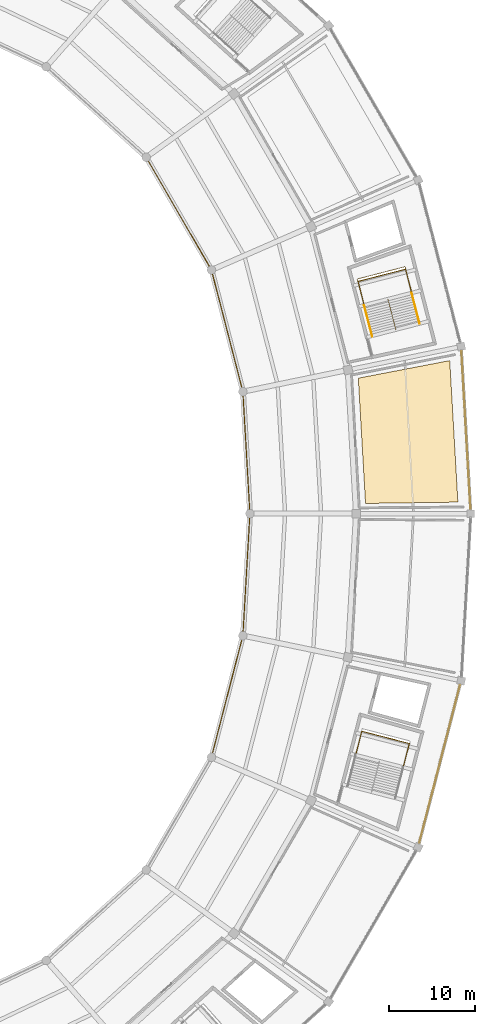
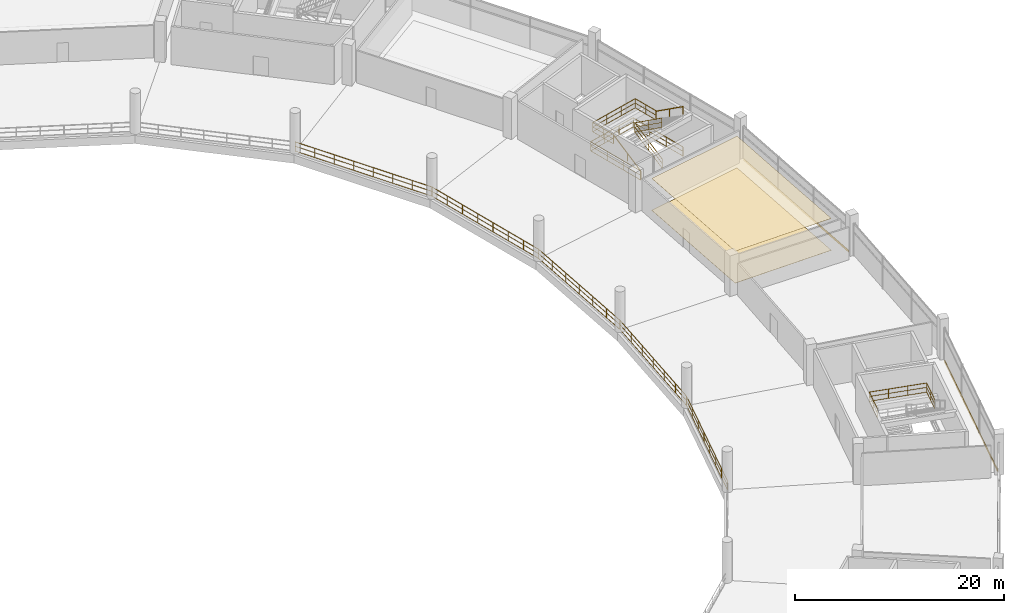
# One storey, part 168 of 171: 11 railings, 4 coverings.
"""IFC4 building model written with IfcOpenShell, lengths in metres."""

from ifc_helpers import new_model, si_unit, direction, frame, origin, origin_2d, place, context, subcontext, project, spatial, polyline, rectangle, outline, extrude, material, layer, layer_set, type_object, element, save


model = new_model("IFC4")

# Units and contexts
model_context = context("Model", 3, precision=1e-05, world=origin(), true_north=direction((0.0, 1.0)))
body_context = subcontext(model_context, "Body", "Model", "MODEL_VIEW")
ifc_project = project(units=[si_unit("LENGTHUNIT", "METRE"), si_unit("AREAUNIT", "SQUARE_METRE"), si_unit("VOLUMEUNIT", "CUBIC_METRE"), si_unit("PLANEANGLEUNIT", "RADIAN"), si_unit("MASSUNIT", "GRAM", prefix="KILO")], contexts=[model_context])

# Site, building, storey
site_placement = place(None, origin())
site = spatial("IfcSite", under=ifc_project, at=site_placement, CompositionType="ELEMENT")
building_placement = place(site_placement, origin())
building = spatial("IfcBuilding", under=site, at=building_placement, Name="Kazemori Nagisa Stadium", CompositionType="ELEMENT")
storey_placement = place(building_placement, frame((0.0, 0.0, 15.639892578125)))
storey = spatial("IfcBuildingStorey", under=building, at=storey_placement, Name="L03", CompositionType="ELEMENT", Elevation=15.639892578125)

# Coverings
ifc_material_1 = material(Name="Mineral-fibre acoustic board", Category="gypsum")
ifc_layer_1 = layer(ifc_material_1, 0.02001953125, Name="Mineral-fibre acoustic board", Category="gypsum")
ifc_layer_set_1 = layer_set([ifc_layer_1], Name="Mineral-fibre acoustic board")
covering_type_1 = type_object("IfcCoveringType", Name="Cov_CEIL", PredefinedType="CEILING", material=ifc_layer_set_1)
covering_1_placement = place(storey_placement, frame((0.0, 0.0, 3.730224609375)))
element("IfcCovering", 1, at=covering_1_placement, inside=storey, type_object=covering_type_1, Name="Acoustic ceiling L03-B01", PredefinedType="CEILING", context=body_context, shape_type="SweptSolid", body=[
    extrude(outline(polyline([(205.771728515625, 103.18408203125), (204.932373046875, 117.730712890625), (215.5498046875, 119.769287109375), (216.497802734375, 103.33740234375), (205.771728515625, 103.18408203125)])), origin(), (0.0, 0.0, 1.0), 0.019775390625),
])
ifc_material_2 = material(Name="Porcelain stoneware tile", Category="masonry")
ifc_layer_2 = layer(ifc_material_2, 0.02490234375, Name="Porcelain stoneware tile", Category="masonry")
ifc_layer_set_2 = layer_set([ifc_layer_2], Name="Porcelain stoneware tile")
covering_type_2 = type_object("IfcCoveringType", Name="Cov_FLOOR", PredefinedType="FLOORING", material=ifc_layer_set_2)
covering_2_placement = place(storey_placement, origin())
element("IfcCovering", 2, at=covering_2_placement, inside=storey, type_object=covering_type_2, Name="Porcelain floor finish L03-B01", PredefinedType="FLOORING", context=body_context, shape_type="SweptSolid", body=[
    extrude(outline(polyline([(205.771728515625, 103.18408203125), (204.932373046875, 117.730712890625), (215.5498046875, 119.769287109375), (216.497802734375, 103.33740234375), (205.771728515625, 103.18408203125)])), origin(), (0.0, 0.0, 1.0), 0.025146484375),
])
ifc_material_3 = material(Name="Anodised aluminium 6063-T5", Category="aluminium")
ifc_layer_3 = layer(ifc_material_3, 0.034912109375, Name="Anodised aluminium 6063-T5", Category="aluminium")
ifc_layer_set_3 = layer_set([ifc_layer_3], Name="Anodised aluminium 6063-T5")
covering_type_3 = type_object("IfcCoveringType", Name="Covering_CLAD", PredefinedType="CLADDING", material=ifc_layer_set_3)
covering_3_placement = place(storey_placement, frame((217.4404296875, 111.69873046875, -0.259765625), z_axis=(0.0, 0.0, 1.0), x_axis=(-0.057601670941, 0.998339645364, 0.0)))
element("IfcCovering", 3, at=covering_3_placement, inside=storey, type_object=covering_type_3, Name="Anodised fascia cladding L03-B01", PredefinedType="CLADDING", context=body_context, shape_type="SweptSolid", body=[
    extrude(rectangle(XDim=18.329833984375, YDim=0.0400390625, at=origin_2d()), origin(), (0.0, 0.0, 1.0), 0.260009765625),
])
covering_4_placement = place(storey_placement, frame((214.3828125, 72.92626953125, -0.259765625), z_axis=(0.0, 0.0, 1.0), x_axis=(0.249964642418, 0.968254965152, 0.0)))
element("IfcCovering", 4, at=covering_4_placement, inside=storey, type_object=covering_type_3, Name="Anodised fascia cladding L03-B27", PredefinedType="CLADDING", context=body_context, shape_type="SweptSolid", body=[
    extrude(rectangle(XDim=18.88623046875, YDim=0.0400390625, at=origin_2d()), origin(), (0.0, 0.0, 1.0), 0.260009765625),
])

# Railings
ifc_material_4 = material(Name="Laminated safety glass and stainless steel SUS304", Category="steel")
railing_type_1 = type_object("IfcRailingType", Name="Rail_BAL", PredefinedType="BALUSTRADE", material=ifc_material_4)
railing_1_placement = place(storey_placement, frame((192.35009765625, 102.0, 0.0)))
element("IfcRailing", 5, at=railing_1_placement, inside=storey, type_object=railing_type_1, Name="Concourse bowl balustrade L03-B01", PredefinedType="BALUSTRADE", context=body_context, shape_type="SweptSolid", body=[
    extrude(rectangle(XDim=0.050048828125, YDim=0.050048828125, at=origin_2d()), frame((0.0, 0.0, 1.09521484375), z_axis=(-0.057610061423, 0.998339161219, 0.0), x_axis=(-0.998339161219, -0.057610061423, 0.0)), (0.0, 0.0, 1.0), 14.183837890625),
    extrude(rectangle(XDim=0.03759765625, YDim=0.03759765625, at=origin_2d()), frame((0.0, 0.0, 0.58251953125), z_axis=(-0.057610061423, 0.998339161219, 0.0), x_axis=(-0.998339161219, -0.057610061423, 0.0)), (0.0, 0.0, 1.0), 14.183837890625),
    extrude(rectangle(XDim=0.03759765625, YDim=0.03759765625, at=origin_2d()), frame((0.0, 0.0, 0.02490234375), z_axis=(-0.057610061423, 0.998339161219, 0.0), x_axis=(-0.998339161219, -0.057610061423, 0.0)), (0.0, 0.0, 1.0), 14.183837890625),
    extrude(rectangle(XDim=0.044921875, YDim=0.044921875, at=origin_2d()), origin(), (0.0, 0.0, 1.0), 1.070068359375),
    extrude(rectangle(XDim=0.044921875, YDim=0.044921875, at=origin_2d()), frame((-0.13623046875, 2.360107421875, 0.0)), (0.0, 0.0, 1.0), 1.070068359375),
    extrude(rectangle(XDim=0.044921875, YDim=0.044921875, at=origin_2d()), frame((-0.2724609375, 4.72021484375, 0.0)), (0.0, 0.0, 1.0), 1.070068359375),
    extrude(rectangle(XDim=0.044921875, YDim=0.044921875, at=origin_2d()), frame((-0.40869140625, 7.080078125, 0.0)), (0.0, 0.0, 1.0), 1.070068359375),
    extrude(rectangle(XDim=0.044921875, YDim=0.044921875, at=origin_2d()), frame((-0.544677734375, 9.440185546875, 0.0)), (0.0, 0.0, 1.0), 1.070068359375),
    extrude(rectangle(XDim=0.044921875, YDim=0.044921875, at=origin_2d()), frame((-0.680908203125, 11.80029296875, 0.0)), (0.0, 0.0, 1.0), 1.070068359375),
    extrude(rectangle(XDim=0.044921875, YDim=0.044921875, at=origin_2d()), frame((-0.817138671875, 14.160400390625, 0.0)), (0.0, 0.0, 1.0), 1.070068359375),
])
railing_2_placement = place(storey_placement, frame((191.532958984375, 116.160400390625, 0.0)))
element("IfcRailing", 6, at=railing_2_placement, inside=storey, type_object=railing_type_1, Name="Concourse bowl balustrade L03-B02", PredefinedType="BALUSTRADE", context=body_context, shape_type="SweptSolid", body=[
    extrude(rectangle(XDim=0.050048828125, YDim=0.050048828125, at=origin_2d()), frame((0.0, 0.0, 1.09521484375), z_axis=(-0.249966077383, 0.9682545947, 0.0), x_axis=(-0.9682545947, -0.249966077383, 0.0)), (0.0, 0.0, 1.0), 14.58984375),
    extrude(rectangle(XDim=0.03759765625, YDim=0.03759765625, at=origin_2d()), frame((0.0, 0.0, 0.58251953125), z_axis=(-0.249966077383, 0.9682545947, 0.0), x_axis=(-0.9682545947, -0.249966077383, 0.0)), (0.0, 0.0, 1.0), 14.58984375),
    extrude(rectangle(XDim=0.03759765625, YDim=0.03759765625, at=origin_2d()), frame((0.0, 0.0, 0.02490234375), z_axis=(-0.249966077383, 0.9682545947, 0.0), x_axis=(-0.9682545947, -0.249966077383, 0.0)), (0.0, 0.0, 1.0), 14.58984375),
    extrude(rectangle(XDim=0.044921875, YDim=0.044921875, at=origin_2d()), origin(), (0.0, 0.0, 1.0), 1.070068359375),
    extrude(rectangle(XDim=0.044921875, YDim=0.044921875, at=origin_2d()), frame((-0.52099609375, 2.01806640625, 0.0)), (0.0, 0.0, 1.0), 1.070068359375),
    extrude(rectangle(XDim=0.044921875, YDim=0.044921875, at=origin_2d()), frame((-1.0419921875, 4.0361328125, 0.0)), (0.0, 0.0, 1.0), 1.070068359375),
    extrude(rectangle(XDim=0.044921875, YDim=0.044921875, at=origin_2d()), frame((-1.56298828125, 6.05419921875, 0.0)), (0.0, 0.0, 1.0), 1.070068359375),
    extrude(rectangle(XDim=0.044921875, YDim=0.044921875, at=origin_2d()), frame((-2.083984375, 8.072509765625, 0.0)), (0.0, 0.0, 1.0), 1.070068359375),
    extrude(rectangle(XDim=0.044921875, YDim=0.044921875, at=origin_2d()), frame((-2.60498046875, 10.090576171875, 0.0)), (0.0, 0.0, 1.0), 1.070068359375),
    extrude(rectangle(XDim=0.044921875, YDim=0.044921875, at=origin_2d()), frame((-3.1259765625, 12.108642578125, 0.0)), (0.0, 0.0, 1.0), 1.070068359375),
    extrude(rectangle(XDim=0.044921875, YDim=0.044921875, at=origin_2d()), frame((-3.64697265625, 14.126708984375, 0.0)), (0.0, 0.0, 1.0), 1.070068359375),
])
railing_3_placement = place(storey_placement, frame((187.885986328125, 130.287109375, 0.0)))
element("IfcRailing", 7, at=railing_3_placement, inside=storey, type_object=railing_type_1, Name="Concourse bowl balustrade L03-B03", PredefinedType="BALUSTRADE", context=body_context, shape_type="SweptSolid", body=[
    extrude(rectangle(XDim=0.050048828125, YDim=0.050048828125, at=origin_2d()), frame((0.0, 0.0, 1.09521484375), z_axis=(-0.501613453924, 0.865091869597, 0.0), x_axis=(-0.865091869597, -0.501613453924, 0.0)), (0.0, 0.0, 1.0), 15.1201171875),
    extrude(rectangle(XDim=0.03759765625, YDim=0.03759765625, at=origin_2d()), frame((0.0, 0.0, 0.58251953125), z_axis=(-0.501613453924, 0.865091869597, 0.0), x_axis=(-0.865091869597, -0.501613453924, 0.0)), (0.0, 0.0, 1.0), 15.1201171875),
    extrude(rectangle(XDim=0.03759765625, YDim=0.03759765625, at=origin_2d()), frame((0.0, 0.0, 0.02490234375), z_axis=(-0.501613453924, 0.865091869597, 0.0), x_axis=(-0.865091869597, -0.501613453924, 0.0)), (0.0, 0.0, 1.0), 15.1201171875),
    extrude(rectangle(XDim=0.044921875, YDim=0.044921875, at=origin_2d()), origin(), (0.0, 0.0, 1.0), 1.070068359375),
    extrude(rectangle(XDim=0.044921875, YDim=0.044921875, at=origin_2d()), frame((-1.08349609375, 1.86865234375, 0.0)), (0.0, 0.0, 1.0), 1.070068359375),
    extrude(rectangle(XDim=0.044921875, YDim=0.044921875, at=origin_2d()), frame((-2.1669921875, 3.7373046875, 0.0)), (0.0, 0.0, 1.0), 1.070068359375),
    extrude(rectangle(XDim=0.044921875, YDim=0.044921875, at=origin_2d()), frame((-3.25048828125, 5.60595703125, 0.0)), (0.0, 0.0, 1.0), 1.070068359375),
    extrude(rectangle(XDim=0.044921875, YDim=0.044921875, at=origin_2d()), frame((-4.333984375, 7.474365234375, 0.0)), (0.0, 0.0, 1.0), 1.070068359375),
    extrude(rectangle(XDim=0.044921875, YDim=0.044921875, at=origin_2d()), frame((-5.41748046875, 9.343017578125, 0.0)), (0.0, 0.0, 1.0), 1.070068359375),
    extrude(rectangle(XDim=0.044921875, YDim=0.044921875, at=origin_2d()), frame((-6.5009765625, 11.211669921875, 0.0)), (0.0, 0.0, 1.0), 1.070068359375),
    extrude(rectangle(XDim=0.044921875, YDim=0.044921875, at=origin_2d()), frame((-7.58447265625, 13.080322265625, 0.0)), (0.0, 0.0, 1.0), 1.070068359375),
])
railing_4_placement = place(storey_placement, frame((187.885986328125, 73.712890625, 0.0)))
element("IfcRailing", 8, at=railing_4_placement, inside=storey, type_object=railing_type_1, Name="Concourse bowl balustrade L03-B27", PredefinedType="BALUSTRADE", context=body_context, shape_type="SweptSolid", body=[
    extrude(rectangle(XDim=0.050048828125, YDim=0.050048828125, at=origin_2d()), frame((0.0, 0.0, 1.09521484375), z_axis=(0.249966077383, 0.9682545947, 0.0), x_axis=(-0.9682545947, 0.249966077383, 0.0)), (0.0, 0.0, 1.0), 14.58984375),
    extrude(rectangle(XDim=0.03759765625, YDim=0.03759765625, at=origin_2d()), frame((0.0, 0.0, 0.58251953125), z_axis=(0.249966077383, 0.9682545947, 0.0), x_axis=(-0.9682545947, 0.249966077383, 0.0)), (0.0, 0.0, 1.0), 14.58984375),
    extrude(rectangle(XDim=0.03759765625, YDim=0.03759765625, at=origin_2d()), frame((0.0, 0.0, 0.02490234375), z_axis=(0.249966077383, 0.9682545947, 0.0), x_axis=(-0.9682545947, 0.249966077383, 0.0)), (0.0, 0.0, 1.0), 14.58984375),
    extrude(rectangle(XDim=0.044921875, YDim=0.044921875, at=origin_2d()), origin(), (0.0, 0.0, 1.0), 1.070068359375),
    extrude(rectangle(XDim=0.044921875, YDim=0.044921875, at=origin_2d()), frame((0.52099609375, 2.01806640625, 0.0)), (0.0, 0.0, 1.0), 1.070068359375),
    extrude(rectangle(XDim=0.044921875, YDim=0.044921875, at=origin_2d()), frame((1.0419921875, 4.0361328125, 0.0)), (0.0, 0.0, 1.0), 1.070068359375),
    extrude(rectangle(XDim=0.044921875, YDim=0.044921875, at=origin_2d()), frame((1.56298828125, 6.05419921875, 0.0)), (0.0, 0.0, 1.0), 1.070068359375),
    extrude(rectangle(XDim=0.044921875, YDim=0.044921875, at=origin_2d()), frame((2.083984375, 8.072509765625, 0.0)), (0.0, 0.0, 1.0), 1.070068359375),
    extrude(rectangle(XDim=0.044921875, YDim=0.044921875, at=origin_2d()), frame((2.60498046875, 10.090576171875, 0.0)), (0.0, 0.0, 1.0), 1.070068359375),
    extrude(rectangle(XDim=0.044921875, YDim=0.044921875, at=origin_2d()), frame((3.1259765625, 12.108642578125, 0.0)), (0.0, 0.0, 1.0), 1.070068359375),
    extrude(rectangle(XDim=0.044921875, YDim=0.044921875, at=origin_2d()), frame((3.64697265625, 14.126708984375, 0.0)), (0.0, 0.0, 1.0), 1.070068359375),
])
railing_5_placement = place(storey_placement, frame((191.532958984375, 87.839599609375, 0.0)))
element("IfcRailing", 9, at=railing_5_placement, inside=storey, type_object=railing_type_1, Name="Concourse bowl balustrade L03-B28", PredefinedType="BALUSTRADE", context=body_context, shape_type="SweptSolid", body=[
    extrude(rectangle(XDim=0.050048828125, YDim=0.050048828125, at=origin_2d()), frame((0.0, 0.0, 1.09521484375), z_axis=(0.057610061423, 0.998339161219, 0.0), x_axis=(-0.998339161219, 0.057610061423, 0.0)), (0.0, 0.0, 1.0), 14.183837890625),
    extrude(rectangle(XDim=0.03759765625, YDim=0.03759765625, at=origin_2d()), frame((0.0, 0.0, 0.58251953125), z_axis=(0.057610061423, 0.998339161219, 0.0), x_axis=(-0.998339161219, 0.057610061423, 0.0)), (0.0, 0.0, 1.0), 14.183837890625),
    extrude(rectangle(XDim=0.03759765625, YDim=0.03759765625, at=origin_2d()), frame((0.0, 0.0, 0.02490234375), z_axis=(0.057610061423, 0.998339161219, 0.0), x_axis=(-0.998339161219, 0.057610061423, 0.0)), (0.0, 0.0, 1.0), 14.183837890625),
    extrude(rectangle(XDim=0.044921875, YDim=0.044921875, at=origin_2d()), origin(), (0.0, 0.0, 1.0), 1.070068359375),
    extrude(rectangle(XDim=0.044921875, YDim=0.044921875, at=origin_2d()), frame((0.13623046875, 2.360107421875, 0.0)), (0.0, 0.0, 1.0), 1.070068359375),
    extrude(rectangle(XDim=0.044921875, YDim=0.044921875, at=origin_2d()), frame((0.2724609375, 4.72021484375, 0.0)), (0.0, 0.0, 1.0), 1.070068359375),
    extrude(rectangle(XDim=0.044921875, YDim=0.044921875, at=origin_2d()), frame((0.40869140625, 7.080078125, 0.0)), (0.0, 0.0, 1.0), 1.070068359375),
    extrude(rectangle(XDim=0.044921875, YDim=0.044921875, at=origin_2d()), frame((0.544677734375, 9.440185546875, 0.0)), (0.0, 0.0, 1.0), 1.070068359375),
    extrude(rectangle(XDim=0.044921875, YDim=0.044921875, at=origin_2d()), frame((0.680908203125, 11.80029296875, 0.0)), (0.0, 0.0, 1.0), 1.070068359375),
    extrude(rectangle(XDim=0.044921875, YDim=0.044921875, at=origin_2d()), frame((0.817138671875, 14.160400390625, 0.0)), (0.0, 0.0, 1.0), 1.070068359375),
])
ifc_material_5 = material(Name="Galvanised powder-coated steel", Category="steel")
railing_type_2 = type_object("IfcRailingType", Name="Rail_GUARD", PredefinedType="GUARDRAIL", material=ifc_material_5)
railing_6_placement = place(storey_placement, frame((206.533447265625, 122.641357421875, 0.0)))
element("IfcRailing", 10, at=railing_6_placement, inside=storey, type_object=railing_type_2, Name="Stair well perimeter guard ST07-L03", PredefinedType="GUARDRAIL", context=body_context, shape_type="SweptSolid", body=[
    extrude(rectangle(XDim=0.050048828125, YDim=0.050048828125, at=origin_2d()), frame((0.0, 0.0, 1.09521484375), z_axis=(-0.249951748519, 0.968258293748, 0.0), x_axis=(-0.968258293748, -0.249951748519, 0.0)), (0.0, 0.0, 1.0), 6.809814453125),
    extrude(rectangle(XDim=0.03759765625, YDim=0.03759765625, at=origin_2d()), frame((0.0, 0.0, 0.58251953125), z_axis=(-0.249951748519, 0.968258293748, 0.0), x_axis=(-0.968258293748, -0.249951748519, 0.0)), (0.0, 0.0, 1.0), 6.809814453125),
    extrude(rectangle(XDim=0.03759765625, YDim=0.03759765625, at=origin_2d()), frame((0.0, 0.0, 0.02490234375), z_axis=(-0.249951748519, 0.968258293748, 0.0), x_axis=(-0.968258293748, -0.249951748519, 0.0)), (0.0, 0.0, 1.0), 6.809814453125),
    extrude(rectangle(XDim=0.050048828125, YDim=0.050048828125, at=origin_2d()), frame((-1.7021484375, 6.59375, 1.09521484375), z_axis=(0.968254587534, 0.249966105142, 0.0), x_axis=(-0.249966105142, 0.968254587534, 0.0)), (0.0, 0.0, 1.0), 5.699951171875),
    extrude(rectangle(XDim=0.03759765625, YDim=0.03759765625, at=origin_2d()), frame((-1.7021484375, 6.59375, 0.58251953125), z_axis=(0.968254587534, 0.249966105142, 0.0), x_axis=(-0.249966105142, 0.968254587534, 0.0)), (0.0, 0.0, 1.0), 5.699951171875),
    extrude(rectangle(XDim=0.03759765625, YDim=0.03759765625, at=origin_2d()), frame((-1.7021484375, 6.59375, 0.02490234375), z_axis=(0.968254587534, 0.249966105142, 0.0), x_axis=(-0.249966105142, 0.968254587534, 0.0)), (0.0, 0.0, 1.0), 5.699951171875),
    extrude(rectangle(XDim=0.050048828125, YDim=0.050048828125, at=origin_2d()), frame((3.81689453125, 8.0185546875, 1.09521484375), z_axis=(0.249951748519, -0.968258293748, 0.0), x_axis=(0.968258293748, 0.249951748519, 0.0)), (0.0, 0.0, 1.0), 6.809814453125),
    extrude(rectangle(XDim=0.03759765625, YDim=0.03759765625, at=origin_2d()), frame((3.81689453125, 8.0185546875, 0.58251953125), z_axis=(0.249951748519, -0.968258293748, 0.0), x_axis=(0.968258293748, 0.249951748519, 0.0)), (0.0, 0.0, 1.0), 6.809814453125),
    extrude(rectangle(XDim=0.03759765625, YDim=0.03759765625, at=origin_2d()), frame((3.81689453125, 8.0185546875, 0.02490234375), z_axis=(0.249951748519, -0.968258293748, 0.0), x_axis=(0.968258293748, 0.249951748519, 0.0)), (0.0, 0.0, 1.0), 6.809814453125),
    extrude(rectangle(XDim=0.044921875, YDim=0.044921875, at=origin_2d()), origin(), (0.0, 0.0, 1.0), 1.070068359375),
    extrude(rectangle(XDim=0.044921875, YDim=0.044921875, at=origin_2d()), frame((-0.5673828125, 2.197998046875, 0.0)), (0.0, 0.0, 1.0), 1.070068359375),
    extrude(rectangle(XDim=0.044921875, YDim=0.044921875, at=origin_2d()), frame((-1.134765625, 4.395751953125, 0.0)), (0.0, 0.0, 1.0), 1.070068359375),
    extrude(rectangle(XDim=0.044921875, YDim=0.044921875, at=origin_2d()), frame((-1.7021484375, 6.59375, 0.0)), (0.0, 0.0, 1.0), 1.070068359375),
    extrude(rectangle(XDim=0.044921875, YDim=0.044921875, at=origin_2d()), frame((0.137451171875, 7.068603515625, 0.0)), (0.0, 0.0, 1.0), 1.070068359375),
    extrude(rectangle(XDim=0.044921875, YDim=0.044921875, at=origin_2d()), frame((1.977294921875, 7.543701171875, 0.0)), (0.0, 0.0, 1.0), 1.070068359375),
    extrude(rectangle(XDim=0.044921875, YDim=0.044921875, at=origin_2d()), frame((3.81689453125, 8.0185546875, 0.0)), (0.0, 0.0, 1.0), 1.070068359375),
    extrude(rectangle(XDim=0.044921875, YDim=0.044921875, at=origin_2d()), frame((4.38427734375, 5.820556640625, 0.0)), (0.0, 0.0, 1.0), 1.070068359375),
    extrude(rectangle(XDim=0.044921875, YDim=0.044921875, at=origin_2d()), frame((4.95166015625, 3.622802734375, 0.0)), (0.0, 0.0, 1.0), 1.070068359375),
    extrude(rectangle(XDim=0.044921875, YDim=0.044921875, at=origin_2d()), frame((5.51904296875, 1.4248046875, 0.0)), (0.0, 0.0, 1.0), 1.070068359375),
])
railing_7_placement = place(storey_placement, frame((209.31298828125, 123.2763671875, 0.0)))
element("IfcRailing", 11, at=railing_7_placement, inside=storey, type_object=railing_type_2, Name="Stair central guard ST07-L03", PredefinedType="GUARDRAIL", context=body_context, shape_type="SweptSolid", body=[
    extrude(rectangle(XDim=0.050048828125, YDim=0.050048828125, at=origin_2d()), frame((0.0, 0.0, 1.09521484375), z_axis=(-0.21109697556, 0.817808574412, 0.535375758256), x_axis=(-0.968263113111, -0.249933078619, 0.0)), (0.0, 0.0, 1.0), 4.44580078125),
    extrude(rectangle(XDim=0.03759765625, YDim=0.03759765625, at=origin_2d()), frame((0.0, 0.0, 0.58251953125), z_axis=(-0.21109697556, 0.817808574412, 0.535375758256), x_axis=(-0.968263113111, -0.249933078619, 0.0)), (0.0, 0.0, 1.0), 4.44580078125),
    extrude(rectangle(XDim=0.03759765625, YDim=0.03759765625, at=origin_2d()), frame((0.0, 0.0, 0.02490234375), z_axis=(-0.21109697556, 0.817808574412, 0.535375758256), x_axis=(-0.968263113111, -0.249933078619, 0.0)), (0.0, 0.0, 1.0), 4.44580078125),
    extrude(rectangle(XDim=0.050048828125, YDim=0.050048828125, at=origin_2d()), frame((-0.9384765625, 3.6357421875, 3.47509765625), z_axis=(0.209776192239, -0.812729399756, 0.543566805408), x_axis=(0.96826591561, 0.249922221237, 0.0)), (0.0, 0.0, 1.0), 4.378173828125),
    extrude(rectangle(XDim=0.03759765625, YDim=0.03759765625, at=origin_2d()), frame((-0.9384765625, 3.6357421875, 2.962646484375), z_axis=(0.209776192239, -0.812729399756, 0.543566805408), x_axis=(0.96826591561, 0.249922221237, 0.0)), (0.0, 0.0, 1.0), 4.378173828125),
    extrude(rectangle(XDim=0.03759765625, YDim=0.03759765625, at=origin_2d()), frame((-0.9384765625, 3.6357421875, 2.4052734375), z_axis=(0.209776192239, -0.812729399756, 0.543566805408), x_axis=(0.96826591561, 0.249922221237, 0.0)), (0.0, 0.0, 1.0), 4.378173828125),
    extrude(rectangle(XDim=0.044921875, YDim=0.044921875, at=origin_2d()), origin(), (0.0, 0.0, 1.0), 1.070068359375),
    extrude(rectangle(XDim=0.044921875, YDim=0.044921875, at=origin_2d()), frame((-0.46923828125, 1.81787109375, 1.18994140625)), (0.0, 0.0, 1.0), 1.070068359375),
    extrude(rectangle(XDim=0.044921875, YDim=0.044921875, at=origin_2d()), frame((-0.9384765625, 3.6357421875, 2.380126953125)), (0.0, 0.0, 1.0), 1.070068359375),
    extrude(rectangle(XDim=0.044921875, YDim=0.044921875, at=origin_2d()), frame((-0.479248046875, 1.8564453125, 3.570068359375)), (0.0, 0.0, 1.0), 1.070068359375),
    extrude(rectangle(XDim=0.044921875, YDim=0.044921875, at=origin_2d()), frame((-0.02001953125, 0.077392578125, 4.760009765625)), (0.0, 0.0, 1.0), 1.070068359375),
])
railing_8_placement = place(storey_placement, frame((205.614990234375, 126.19970703125, 2.380126953125)))
element("IfcRailing", 12, at=railing_8_placement, inside=storey, type_object=railing_type_2, Name="Stair landing guard ST07-L03", PredefinedType="GUARDRAIL", context=body_context, shape_type="SweptSolid", body=[
    extrude(rectangle(XDim=0.050048828125, YDim=0.050048828125, at=origin_2d()), frame((0.0, 0.0, 1.09521484375), z_axis=(-0.249966105142, 0.968254587534, 0.0), x_axis=(-0.968254587534, -0.249966105142, 0.0)), (0.0, 0.0, 1.0), 2.85009765625),
    extrude(rectangle(XDim=0.03759765625, YDim=0.03759765625, at=origin_2d()), frame((0.0, 0.0, 0.58251953125), z_axis=(-0.249966105142, 0.968254587534, 0.0), x_axis=(-0.968254587534, -0.249966105142, 0.0)), (0.0, 0.0, 1.0), 2.85009765625),
    extrude(rectangle(XDim=0.03759765625, YDim=0.03759765625, at=origin_2d()), frame((0.0, 0.0, 0.02490234375), z_axis=(-0.249966105142, 0.968254587534, 0.0), x_axis=(-0.968254587534, -0.249966105142, 0.0)), (0.0, 0.0, 1.0), 2.85009765625),
    extrude(rectangle(XDim=0.050048828125, YDim=0.050048828125, at=origin_2d()), frame((-0.71240234375, 2.759521484375, 1.09521484375), z_axis=(0.968254587534, 0.249966105142, 0.0), x_axis=(-0.249966105142, 0.968254587534, 0.0)), (0.0, 0.0, 1.0), 5.699951171875),
    extrude(rectangle(XDim=0.03759765625, YDim=0.03759765625, at=origin_2d()), frame((-0.71240234375, 2.759521484375, 0.58251953125), z_axis=(0.968254587534, 0.249966105142, 0.0), x_axis=(-0.249966105142, 0.968254587534, 0.0)), (0.0, 0.0, 1.0), 5.699951171875),
    extrude(rectangle(XDim=0.03759765625, YDim=0.03759765625, at=origin_2d()), frame((-0.71240234375, 2.759521484375, 0.02490234375), z_axis=(0.968254587534, 0.249966105142, 0.0), x_axis=(-0.249966105142, 0.968254587534, 0.0)), (0.0, 0.0, 1.0), 5.699951171875),
    extrude(rectangle(XDim=0.050048828125, YDim=0.050048828125, at=origin_2d()), frame((4.806640625, 4.184326171875, 1.09521484375), z_axis=(0.249966105142, -0.968254587534, 0.0), x_axis=(0.968254587534, 0.249966105142, 0.0)), (0.0, 0.0, 1.0), 2.85009765625),
    extrude(rectangle(XDim=0.03759765625, YDim=0.03759765625, at=origin_2d()), frame((4.806640625, 4.184326171875, 0.58251953125), z_axis=(0.249966105142, -0.968254587534, 0.0), x_axis=(0.968254587534, 0.249966105142, 0.0)), (0.0, 0.0, 1.0), 2.85009765625),
    extrude(rectangle(XDim=0.03759765625, YDim=0.03759765625, at=origin_2d()), frame((4.806640625, 4.184326171875, 0.02490234375), z_axis=(0.249966105142, -0.968254587534, 0.0), x_axis=(0.968254587534, 0.249966105142, 0.0)), (0.0, 0.0, 1.0), 2.85009765625),
    extrude(rectangle(XDim=0.044921875, YDim=0.044921875, at=origin_2d()), origin(), (0.0, 0.0, 1.0), 1.070068359375),
    extrude(rectangle(XDim=0.044921875, YDim=0.044921875, at=origin_2d()), frame((-0.356201171875, 1.3798828125, 0.0)), (0.0, 0.0, 1.0), 1.070068359375),
    extrude(rectangle(XDim=0.044921875, YDim=0.044921875, at=origin_2d()), frame((-0.71240234375, 2.759521484375, 0.0)), (0.0, 0.0, 1.0), 1.070068359375),
    extrude(rectangle(XDim=0.044921875, YDim=0.044921875, at=origin_2d()), frame((1.127197265625, 3.234375, 0.0)), (0.0, 0.0, 1.0), 1.070068359375),
    extrude(rectangle(XDim=0.044921875, YDim=0.044921875, at=origin_2d()), frame((2.967041015625, 3.70947265625, 0.0)), (0.0, 0.0, 1.0), 1.070068359375),
    extrude(rectangle(XDim=0.044921875, YDim=0.044921875, at=origin_2d()), frame((4.806640625, 4.184326171875, 0.0)), (0.0, 0.0, 1.0), 1.070068359375),
    extrude(rectangle(XDim=0.044921875, YDim=0.044921875, at=origin_2d()), frame((5.162841796875, 2.8046875, 0.0)), (0.0, 0.0, 1.0), 1.070068359375),
    extrude(rectangle(XDim=0.044921875, YDim=0.044921875, at=origin_2d()), frame((5.51904296875, 1.4248046875, 0.0)), (0.0, 0.0, 1.0), 1.070068359375),
])
railing_9_placement = place(storey_placement, frame((204.627197265625, 73.974853515625, 2.380126953125)))
element("IfcRailing", 13, at=railing_9_placement, inside=storey, type_object=railing_type_2, Name="Stair landing guard ST10-L03", PredefinedType="GUARDRAIL", context=body_context, shape_type="SweptSolid", body=[
    extrude(rectangle(XDim=0.050048828125, YDim=0.050048828125, at=origin_2d()), frame((0.0, 0.0, 1.09521484375), z_axis=(0.249966105142, 0.968254587534, 0.0), x_axis=(-0.968254587534, 0.249966105142, 0.0)), (0.0, 0.0, 1.0), 2.85009765625),
    extrude(rectangle(XDim=0.03759765625, YDim=0.03759765625, at=origin_2d()), frame((0.0, 0.0, 0.58251953125), z_axis=(0.249966105142, 0.968254587534, 0.0), x_axis=(-0.968254587534, 0.249966105142, 0.0)), (0.0, 0.0, 1.0), 2.85009765625),
    extrude(rectangle(XDim=0.03759765625, YDim=0.03759765625, at=origin_2d()), frame((0.0, 0.0, 0.02490234375), z_axis=(0.249966105142, 0.968254587534, 0.0), x_axis=(-0.968254587534, 0.249966105142, 0.0)), (0.0, 0.0, 1.0), 2.85009765625),
    extrude(rectangle(XDim=0.050048828125, YDim=0.050048828125, at=origin_2d()), frame((0.71240234375, 2.759521484375, 1.09521484375), z_axis=(0.968257263626, -0.249955738953, 0.0), x_axis=(0.249955738953, 0.968257263626, 0.0)), (0.0, 0.0, 1.0), 5.7001953125),
    extrude(rectangle(XDim=0.03759765625, YDim=0.03759765625, at=origin_2d()), frame((0.71240234375, 2.759521484375, 0.58251953125), z_axis=(0.968257263626, -0.249955738953, 0.0), x_axis=(0.249955738953, 0.968257263626, 0.0)), (0.0, 0.0, 1.0), 5.7001953125),
    extrude(rectangle(XDim=0.03759765625, YDim=0.03759765625, at=origin_2d()), frame((0.71240234375, 2.759521484375, 0.02490234375), z_axis=(0.968257263626, -0.249955738953, 0.0), x_axis=(0.249955738953, 0.968257263626, 0.0)), (0.0, 0.0, 1.0), 5.7001953125),
    extrude(rectangle(XDim=0.050048828125, YDim=0.050048828125, at=origin_2d()), frame((6.231689453125, 1.334716796875, 1.09521484375), z_axis=(-0.249966105142, -0.968254587534, 0.0), x_axis=(0.968254587534, -0.249966105142, 0.0)), (0.0, 0.0, 1.0), 2.85009765625),
    extrude(rectangle(XDim=0.03759765625, YDim=0.03759765625, at=origin_2d()), frame((6.231689453125, 1.334716796875, 0.58251953125), z_axis=(-0.249966105142, -0.968254587534, 0.0), x_axis=(0.968254587534, -0.249966105142, 0.0)), (0.0, 0.0, 1.0), 2.85009765625),
    extrude(rectangle(XDim=0.03759765625, YDim=0.03759765625, at=origin_2d()), frame((6.231689453125, 1.334716796875, 0.02490234375), z_axis=(-0.249966105142, -0.968254587534, 0.0), x_axis=(0.968254587534, -0.249966105142, 0.0)), (0.0, 0.0, 1.0), 2.85009765625),
    extrude(rectangle(XDim=0.044921875, YDim=0.044921875, at=origin_2d()), origin(), (0.0, 0.0, 1.0), 1.070068359375),
    extrude(rectangle(XDim=0.044921875, YDim=0.044921875, at=origin_2d()), frame((0.356201171875, 1.3798828125, 0.0)), (0.0, 0.0, 1.0), 1.070068359375),
    extrude(rectangle(XDim=0.044921875, YDim=0.044921875, at=origin_2d()), frame((0.71240234375, 2.759521484375, 0.0)), (0.0, 0.0, 1.0), 1.070068359375),
    extrude(rectangle(XDim=0.044921875, YDim=0.044921875, at=origin_2d()), frame((2.55224609375, 2.28466796875, 0.0)), (0.0, 0.0, 1.0), 1.070068359375),
    extrude(rectangle(XDim=0.044921875, YDim=0.044921875, at=origin_2d()), frame((4.391845703125, 1.8095703125, 0.0)), (0.0, 0.0, 1.0), 1.070068359375),
    extrude(rectangle(XDim=0.044921875, YDim=0.044921875, at=origin_2d()), frame((6.231689453125, 1.334716796875, 0.0)), (0.0, 0.0, 1.0), 1.070068359375),
    extrude(rectangle(XDim=0.044921875, YDim=0.044921875, at=origin_2d()), frame((5.87548828125, -0.044921875, 0.0)), (0.0, 0.0, 1.0), 1.070068359375),
    extrude(rectangle(XDim=0.044921875, YDim=0.044921875, at=origin_2d()), frame((5.519287109375, -1.4248046875, 0.0)), (0.0, 0.0, 1.0), 1.070068359375),
])
ifc_material_6 = material(Name="Stainless steel SUS304", Category="steel")
railing_type_3 = type_object("IfcRailingType", Name="Rail_HAND", PredefinedType="HANDRAIL", material=ifc_material_6)
railing_10_placement = place(storey_placement, frame((206.553466796875, 122.56396484375, 0.170166015625)))
element("IfcRailing", 14, at=railing_10_placement, inside=storey, type_object=railing_type_3, Name="Stair handrail ST07-L03-F1", PredefinedType="HANDRAIL", context=body_context, shape_type="SweptSolid", body=[
    extrude(rectangle(XDim=0.050048828125, YDim=0.050048828125, at=origin_2d()), frame((0.0, 0.0, 0.875), z_axis=(-0.211103181909, 0.817832618365, 0.535336580971), x_axis=(-0.968263113111, -0.249933078619, 0.0)), (0.0, 0.0, 1.0), 4.445556640625),
    extrude(rectangle(XDim=0.044921875, YDim=0.044921875, at=origin_2d()), origin(), (0.0, 0.0, 1.0), 0.849853515625),
    extrude(rectangle(XDim=0.044921875, YDim=0.044921875, at=origin_2d()), frame((-0.46923828125, 1.81787109375, 1.18994140625)), (0.0, 0.0, 1.0), 0.849853515625),
    extrude(rectangle(XDim=0.044921875, YDim=0.044921875, at=origin_2d()), frame((-0.9384765625, 3.6357421875, 2.3798828125)), (0.0, 0.0, 1.0), 0.849853515625),
])
railing_11_placement = place(storey_placement, frame((211.134033203125, 127.62451171875, 2.550048828125)))
element("IfcRailing", 15, at=railing_11_placement, inside=storey, type_object=railing_type_3, Name="Stair handrail ST07-L03-F2", PredefinedType="HANDRAIL", context=body_context, shape_type="SweptSolid", body=[
    extrude(rectangle(XDim=0.050048828125, YDim=0.050048828125, at=origin_2d()), frame((0.0, 0.0, 0.875), z_axis=(0.209769833821, -0.812704765535, 0.543606089825), x_axis=(0.96826591561, 0.249922221237, 0.0)), (0.0, 0.0, 1.0), 4.37841796875),
    extrude(rectangle(XDim=0.044921875, YDim=0.044921875, at=origin_2d()), origin(), (0.0, 0.0, 1.0), 0.849853515625),
    extrude(rectangle(XDim=0.044921875, YDim=0.044921875, at=origin_2d()), frame((0.459228515625, -1.779296875, 1.18994140625)), (0.0, 0.0, 1.0), 0.849853515625),
    extrude(rectangle(XDim=0.044921875, YDim=0.044921875, at=origin_2d()), frame((0.91845703125, -3.558349609375, 2.380126953125)), (0.0, 0.0, 1.0), 0.849853515625),
])

save(model, "model.ifc")
